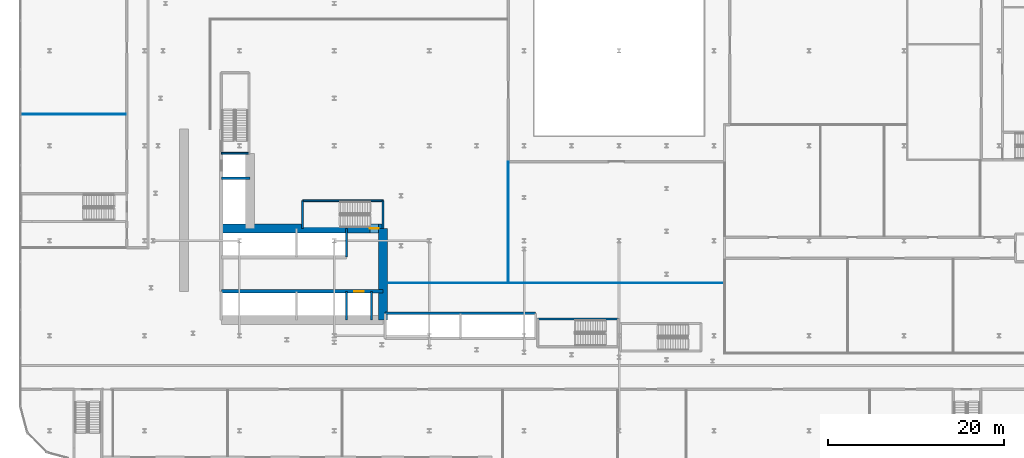
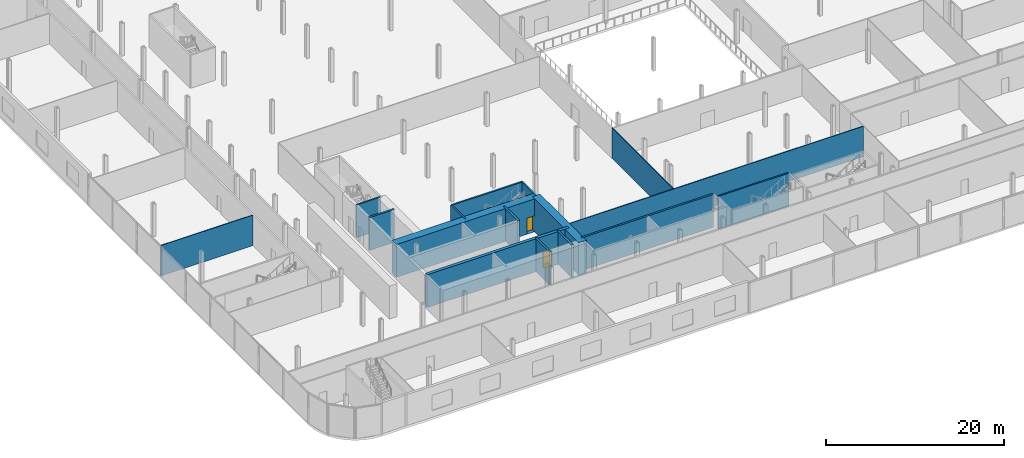
# One storey, part 29 of 47: 16 walls, 2 doors, 2 openings.
"""IFC4 building model written with IfcOpenShell, lengths in metres."""

import ifcopenshell
import ifcopenshell.guid

model = None  # the IFC model being written
_history = None  # IfcOwnerHistory: only IFC2X3 demands one
_inside = {}  # id of a spatial element -> (the spatial element, [elements in it])
_under = {}  # id of a project, library or spatial element -> (it, [spatial elements below it])
_declared = {}  # id of a project -> (the project, [libraries it declares])
_typed = {}  # id of a type object -> (the type object, [elements of that type])
_made_of = {}  # id of a material, layer set ... -> (it, [elements and type objects made of it])


def new_model(schema):
    """Start an empty IFC model of exactly this schema.

    Asked for "IFC4X3", IfcOpenShell would pick the latest addendum, in which some entities
    have other attributes; the version numbers below select the first issue.
    IFC2X3 requires an IfcOwnerHistory on every rooted entity: one is made here for all.
    """
    global model, _history
    if schema == "IFC4X3":
        model = ifcopenshell.file(schema_version=(4, 3, 0, 0))
    else:
        model = ifcopenshell.file(schema=schema)
    _inside.clear()
    _under.clear()
    _declared.clear()
    _typed.clear()
    _made_of.clear()
    _history = None
    if model.schema == "IFC2X3":
        org = make("IfcOrganization", Name="unknown")
        user = make(
            "IfcPersonAndOrganization",
            ThePerson=make("IfcPerson", FamilyName="unknown"),
            TheOrganization=org,
        )
        app = make(
            "IfcApplication",
            ApplicationDeveloper=org,
            Version="unknown",
            ApplicationFullName="unknown",
            ApplicationIdentifier="unknown",
        )
        _history = make(
            "IfcOwnerHistory",
            OwningUser=user,
            OwningApplication=app,
            ChangeAction="ADDED",
            CreationDate=0,
        )
    return model


def make(cls, **values):
    """One entity of the class cls with the attributes given. An attribute that is None is left unset."""
    return model.create_entity(
        cls, **{name: value for name, value in values.items() if value is not None}
    )


def rooted(cls, **values):
    """An entity with a GlobalId (a new one), such as an element, a storey or a relation."""
    return make(cls, GlobalId=ifcopenshell.guid.new(), OwnerHistory=_history, **values)


def si_unit(unit_type, name, prefix=None):
    """IfcSIUnit, for example si_unit("LENGTHUNIT", "METRE", prefix="MILLI")."""
    return make("IfcSIUnit", UnitType=unit_type, Prefix=prefix, Name=name)


def assignment(units):
    """IfcUnitAssignment: the units of a project."""
    return None if units is None else make("IfcUnitAssignment", Units=units)


def point(xyz):
    """IfcCartesianPoint."""
    return None if xyz is None else make("IfcCartesianPoint", Coordinates=xyz)


def direction(xyz):
    """IfcDirection."""
    return None if xyz is None else make("IfcDirection", DirectionRatios=xyz)


def frame(location, z_axis=None, x_axis=None):
    """IfcAxis2Placement3D, a coordinate frame: its origin and axes. An axis left out is left unset."""
    return make(
        "IfcAxis2Placement3D",
        Location=point(location),
        Axis=direction(z_axis),
        RefDirection=direction(x_axis),
    )


def frame_2d(location, x_axis=None):
    """IfcAxis2Placement2D, a coordinate frame in the plane: its origin and x axis."""
    return make(
        "IfcAxis2Placement2D", Location=point(location), RefDirection=direction(x_axis)
    )


def origin():
    """The frame at (0, 0, 0) with its axes left unset."""
    return frame((0.0, 0.0, 0.0))


def place(relative_to, where):
    """IfcLocalPlacement: puts the frame where relative to a parent placement (None: the world)."""
    return make(
        "IfcLocalPlacement", PlacementRelTo=relative_to, RelativePlacement=where
    )


def context(
    kind, dimensions, precision=None, world=None, true_north=None, identifier=None
):
    """IfcGeometricRepresentationContext, for example the 3D "Model" context."""
    return make(
        "IfcGeometricRepresentationContext",
        ContextIdentifier=identifier,
        ContextType=kind,
        CoordinateSpaceDimension=dimensions,
        Precision=precision,
        WorldCoordinateSystem=world,
        TrueNorth=true_north,
    )


def subcontext(parent, identifier, kind, view, scale=None):
    """IfcGeometricRepresentationSubContext, for example "Body" below "Model"."""
    return make(
        "IfcGeometricRepresentationSubContext",
        ContextIdentifier=identifier,
        ContextType=kind,
        ParentContext=parent,
        TargetScale=scale,
        TargetView=view,
    )


def project(units=None, contexts=None):
    """IfcProject with its units and contexts."""
    return rooted(
        "IfcProject",
        Name="project",
        RepresentationContexts=contexts,
        UnitsInContext=assignment(units),
    )


def spatial(cls, under=None, at=None, **own):
    """A site, building, storey or space (cls), placed at a placement, below another one or the project."""
    s = rooted(cls, ObjectPlacement=at, **own)
    if under is not None:
        _under.setdefault(under.id(), (under, []))[1].append(s)
    return s


def profile(cls, at=None, kind="AREA", **sizes):
    """A parametric profile (cls). Its sizes go by their IFC names, for example OverallWidth=200.0."""
    return make(cls, ProfileType=kind, Position=at, **sizes)


def rectangle(**sizes):
    """IfcRectangleProfileDef."""
    return profile("IfcRectangleProfileDef", **sizes)


def extrude(swept, where, along, depth):
    """IfcExtrudedAreaSolid: the profile swept, set in the frame where, extruded along a direction by depth."""
    return make(
        "IfcExtrudedAreaSolid",
        SweptArea=swept,
        Position=where,
        ExtrudedDirection=direction(along),
        Depth=depth,
    )


def shape(context_of_items, identifier, shape_type, items):
    """IfcShapeRepresentation: the items that make up one representation, for example the "Body"."""
    return make(
        "IfcShapeRepresentation",
        ContextOfItems=context_of_items,
        RepresentationIdentifier=identifier,
        RepresentationType=shape_type,
        Items=items,
    )


def source(mapping_origin, context_of_items, identifier, shape_type, items):
    """IfcRepresentationMap: a shape defined once, which mapped items show again and again."""
    return make(
        "IfcRepresentationMap",
        MappingOrigin=mapping_origin,
        MappedRepresentation=shape(context_of_items, identifier, shape_type, items),
    )


def transform(
    local_origin,
    x_axis=None,
    y_axis=None,
    z_axis=None,
    scale=None,
    scale2=None,
    scale3=None,
    uniform=True,
):
    """IfcCartesianTransformationOperator3D, or its non-uniform kind. x_axis, y_axis, z_axis: its Axis1, 2, 3."""
    if uniform:
        return make(
            "IfcCartesianTransformationOperator3D",
            Axis1=direction(x_axis),
            Axis2=direction(y_axis),
            LocalOrigin=point(local_origin),
            Scale=scale,
            Axis3=direction(z_axis),
        )
    return make(
        "IfcCartesianTransformationOperator3DnonUniform",
        Axis1=direction(x_axis),
        Axis2=direction(y_axis),
        LocalOrigin=point(local_origin),
        Scale=scale,
        Axis3=direction(z_axis),
        Scale2=scale2,
        Scale3=scale3,
    )


def mapped(mapping_source, mapping_target):
    """IfcMappedItem: shows the shape of a source again, moved by a transform."""
    return make(
        "IfcMappedItem", MappingSource=mapping_source, MappingTarget=mapping_target
    )


def material(Name=None, Category=None):
    """IfcMaterial."""
    return make("IfcMaterial", Name=Name, Category=Category)


def layer(
    of_material, thickness, ventilated=None, Name=None, Category=None, Priority=None
):
    """IfcMaterialLayer: one layer of a wall or slab, of a material (None: an air gap)."""
    return make(
        "IfcMaterialLayer",
        Material=of_material,
        LayerThickness=thickness,
        IsVentilated=ventilated,
        Name=Name,
        Category=Category,
        Priority=Priority,
    )


def layer_set(layers, Name=None):
    """IfcMaterialLayerSet."""
    return make("IfcMaterialLayerSet", MaterialLayers=layers, LayerSetName=Name)


def made_of(thing, what):
    """Note that an element or type object is made of a material, layer set ...; save() writes the relation."""
    if what is not None:
        _made_of.setdefault(what.id(), (what, []))[1].append(thing)
    return thing


def type_object(cls, material=None, **own):
    """A type object (cls), such as IfcWallType, which elements share."""
    return made_of(rooted(cls, **own), material)


def element(
    cls,
    number,
    at=None,
    inside=None,
    cuts=None,
    type_object=None,
    material=None,
    context=None,
    identifier="Body",
    shape_type=None,
    held_by="IfcProductDefinitionShape",
    body=None,
    shapes=None,
    **own,
):
    """One element of the class cls, such as IfcWall. Its Tag is "e" and its number.

    at: its placement. inside: the storey or other place that contains it. cuts: it is an
    opening in that element (IfcRelVoidsElement). A single representation is given by context,
    identifier, shape_type and body (its items); several are given by shapes. held_by: the class
    of the entity that holds the representations. save() writes the other relations.
    """
    e = rooted(cls, Tag="e%d" % number, ObjectPlacement=at, **own)
    if body is not None:
        shapes = [shape(context, identifier, shape_type, body)]
    if shapes is not None:
        e.Representation = make(held_by, Representations=shapes)
    if inside is not None:
        _inside.setdefault(inside.id(), (inside, []))[1].append(e)
    if cuts is not None:
        rooted(
            "IfcRelVoidsElement", RelatingBuildingElement=cuts, RelatedOpeningElement=e
        )
    if type_object is not None:
        _typed.setdefault(type_object.id(), (type_object, []))[1].append(e)
    return made_of(e, material)


def fill(opening, filler):
    """IfcRelFillsElement: the door or window that sits in an opening."""
    return rooted(
        "IfcRelFillsElement",
        RelatingOpeningElement=opening,
        RelatedBuildingElement=filler,
    )


def aggregate(whole, parts):
    """IfcRelAggregates: a whole, such as a stair, and the parts it consists of."""
    return rooted("IfcRelAggregates", RelatingObject=whole, RelatedObjects=parts)


def save(model, path):
    """Write the relations noted so far, then the file.

    IfcRelAggregates (storeys below a building ...), IfcRelContainedInSpatialStructure (elements
    in a storey), IfcRelDefinesByType, IfcRelAssociatesMaterial and IfcRelDeclares: one each for
    every whole, place, type object, material and project.
    """
    for whole, parts in _under.values():
        aggregate(whole, parts)
    for where, things in _inside.values():
        rooted(
            "IfcRelContainedInSpatialStructure",
            RelatedElements=things,
            RelatingStructure=where,
        )
    for kind, things in _typed.values():
        rooted("IfcRelDefinesByType", RelatedObjects=things, RelatingType=kind)
    for what, things in _made_of.values():
        rooted("IfcRelAssociatesMaterial", RelatedObjects=things, RelatingMaterial=what)
    for by, libraries in _declared.values():
        rooted("IfcRelDeclares", RelatingContext=by, RelatedDefinitions=libraries)
    model.write(path)


model = new_model("IFC4")

# Units and contexts
model_context = context("Model", 3, precision=1e-05, world=origin(), true_north=direction((0.0, 1.0)))
body_context = subcontext(model_context, "Body", "Model", "MODEL_VIEW")
ifc_project = project(units=[si_unit("LENGTHUNIT", "METRE"), si_unit("AREAUNIT", "SQUARE_METRE"), si_unit("VOLUMEUNIT", "CUBIC_METRE"), si_unit("PLANEANGLEUNIT", "RADIAN"), si_unit("MASSUNIT", "GRAM", prefix="KILO")], contexts=[model_context])

# Site, building, storey
site_placement = place(None, origin())
site = spatial("IfcSite", under=ifc_project, at=site_placement, CompositionType="ELEMENT")
building_placement = place(site_placement, origin())
building = spatial("IfcBuilding", under=site, at=building_placement, Name="Kheshtan School and Residences Tower", CompositionType="ELEMENT")
storey_placement = place(building_placement, frame((0.0, 0.0, 21.5)))
storey = spatial("IfcBuildingStorey", under=building, at=storey_placement, Name="L04", CompositionType="ELEMENT", Elevation=21.5)

# Wall, opening, door
ifc_material_1 = material(Name="Concrete C80/95", Category="concrete")
ifc_layer_1 = layer(ifc_material_1, 1.0)
ifc_layer_set_1 = layer_set([ifc_layer_1], Name="Core wall 1000 Concrete C80/95")
wall_type_1 = type_object("IfcWallType", Name="Core wall 1000 Concrete C80/95", PredefinedType="SHEAR", material=ifc_layer_set_1)
wall_1_placement = place(storey_placement, frame((34.75, 36.199951171875, 0.0), z_axis=(0.0, 0.0, 1.0), x_axis=(1.0, 0.0, 0.0)))
wall_1 = element("IfcWall", 1, at=wall_1_placement, inside=storey, type_object=wall_type_1, Name="Core wall CW-FRONT-S", PredefinedType="SHEAR", context=body_context, shape_type="SweptSolid", body=[
    extrude(rectangle(XDim=18.39990234375, YDim=1.0, at=frame_2d((9.199951171875, 0.0))), origin(), (0.0, 0.0, 1.0), 4.5),
])
opening_1_placement = place(wall_1_placement, frame((16.89990234375, 0.0, 0.0)))
opening_1 = element("IfcOpeningElement", 2, at=opening_1_placement, cuts=wall_1, Name="Opening ST1D", PredefinedType="OPENING", context=body_context, shape_type="SweptSolid", body=[
    extrude(rectangle(XDim=1.0, YDim=2.199951171875, at=frame_2d((0.5, 1.10009765625))), frame((0.0, 0.510009765625, 0.0), z_axis=(0.0, -1.0, 0.0), x_axis=(1.0, 0.0, 0.0)), (0.0, 0.0, 1.0), 1.02001953125),
])
ifc_material_2 = material(Name="Steel door leaf, galvanised", Category="steel")
door_type_1 = type_object("IfcDoorType", Name="Stair door 1100 steel 90 min", OperationType="SINGLE_SWING_LEFT", PredefinedType="DOOR", material=ifc_material_2)
shared_shape_1 = source(origin(), body_context, "Body", "SweptSolid", [
    extrude(rectangle(XDim=1.0, YDim=2.199951171875, at=frame_2d((0.5, 1.10009765625))), frame((0.0, 0.02490234375, 0.0), z_axis=(0.0, -1.0, 0.0), x_axis=(1.0, 0.0, 0.0)), (0.0, 0.0, 1.0), 0.050048828125),
])
door_1_placement = place(opening_1_placement, origin())
door_1 = element("IfcDoor", 3, at=door_1_placement, inside=storey, type_object=door_type_1, Name="Stair ST1 door", OperationType="SINGLE_SWING_RIGHT", OverallHeight=2.199951171875, OverallWidth=1.0, PredefinedType="DOOR", context=body_context, shape_type="MappedRepresentation", body=[
    mapped(shared_shape_1, transform((0.0, 0.0, 0.0), x_axis=(1.0, 0.0, 0.0), y_axis=(0.0, 1.0, 0.0), z_axis=(0.0, 0.0, 1.0), scale=1.0)),
])
fill(opening_1, door_1)

# Wall
wall_2_placement = place(storey_placement, frame((53.14990234375, 25.800048828125, 0.0), z_axis=(0.0, 0.0, 1.0), x_axis=(0.0, 1.0, 0.0)))
element("IfcWall", 4, at=wall_2_placement, inside=storey, type_object=wall_type_1, Name="Core wall CW-EAST", PredefinedType="SHEAR", context=body_context, shape_type="SweptSolid", body=[
    extrude(rectangle(XDim=10.39990234375, YDim=1.0, at=frame_2d((5.199951171875, 0.0))), origin(), (0.0, 0.0, 1.0), 4.5),
])

# Wall, opening, door
ifc_material_3 = material(Name="Concrete C50/60", Category="concrete")
ifc_layer_2 = layer(ifc_material_3, 0.39990234375)
ifc_layer_set_2 = layer_set([ifc_layer_2], Name="Core wall 400 Concrete C50/60")
wall_type_2 = type_object("IfcWallType", Name="Core wall 400 Concrete C50/60", PredefinedType="SHEAR", material=ifc_layer_set_2)
wall_3_placement = place(storey_placement, frame((34.75, 29.050048828125, 0.0), z_axis=(0.0, 0.0, 1.0), x_axis=(1.0, 0.0, 0.0)))
wall_3 = element("IfcWall", 5, at=wall_3_placement, inside=storey, type_object=wall_type_2, Name="Core wall CW-HALL-S1", PredefinedType="SHEAR", context=body_context, shape_type="SweptSolid", body=[
    extrude(rectangle(XDim=18.39990234375, YDim=0.39990234375, at=frame_2d((9.199951171875, 0.0))), origin(), (0.0, 0.0, 1.0), 4.5),
])
opening_2_placement = place(wall_3_placement, frame((15.125, 0.0, 0.0)))
opening_2 = element("IfcOpeningElement", 6, at=opening_2_placement, cuts=wall_3, Name="Opening LD", PredefinedType="OPENING", context=body_context, shape_type="SweptSolid", body=[
    extrude(rectangle(XDim=1.10009765625, YDim=2.199951171875, at=frame_2d((0.550048828125, 1.10009765625))), frame((0.0, 0.2099609375, 0.0), z_axis=(0.0, -1.0, 0.0), x_axis=(1.0, 0.0, 0.0)), (0.0, 0.0, 1.0), 0.419921875),
])
ifc_material_4 = material(Name="Stainless steel door leaves", Category="steel")
door_type_2 = type_object("IfcDoorType", Name="Lift landing door 1100", OperationType="SLIDING_TO_LEFT", PredefinedType="DOOR", material=ifc_material_4)
shared_shape_2 = source(origin(), body_context, "Body", "SweptSolid", [
    extrude(rectangle(XDim=1.10009765625, YDim=2.199951171875, at=frame_2d((0.550048828125, 1.10009765625))), frame((0.0, 0.02490234375, 0.0), z_axis=(0.0, -1.0, 0.0), x_axis=(1.0, 0.0, 0.0)), (0.0, 0.0, 1.0), 0.050048828125),
])
door_2_placement = place(opening_2_placement, origin())
door_2 = element("IfcDoor", 7, at=door_2_placement, inside=storey, type_object=door_type_2, Name="Lift FFL2 landing door", OperationType="SLIDING_TO_LEFT", OverallHeight=2.199951171875, OverallWidth=1.10009765625, PredefinedType="DOOR", context=body_context, shape_type="MappedRepresentation", body=[
    mapped(shared_shape_2, transform((0.0, 0.0, 0.0), x_axis=(1.0, 0.0, 0.0), y_axis=(0.0, 1.0, 0.0), z_axis=(0.0, 0.0, 1.0), scale=1.0)),
])
fill(opening_2, door_2)

# Walls
ifc_material_5 = material(Name="Gypsum board on steel studs", Category="steel")
ifc_layer_3 = layer(ifc_material_5, 0.10009765625)
ifc_layer_set_3 = layer_set([ifc_layer_3], Name="Gypsum partition 100")
wall_type_3 = type_object("IfcWallType", Name="Gypsum partition 100", PredefinedType="PARTITIONING", material=ifc_layer_set_3)
wall_4_placement = place(storey_placement, frame((12.0, 49.199951171875, 0.0), z_axis=(0.0, 0.0, 1.0), x_axis=(1.0, 0.0, 0.0)))
element("IfcWall", 8, at=wall_4_placement, inside=storey, type_object=wall_type_3, Name="Partition L04-004", PredefinedType="PARTITIONING", context=body_context, shape_type="SweptSolid", body=[
    extrude(rectangle(XDim=11.89990234375, YDim=0.10009765625, at=frame_2d((5.949951171875, 0.0))), origin(), (0.0, 0.0, 1.0), 4.179931640625),
])
wall_5_placement = place(storey_placement, frame((53.64892578125, 30.0, 0.0), z_axis=(0.0, 0.0, 1.0), x_axis=(1.0, 0.0, 0.0)))
element("IfcWall", 9, at=wall_5_placement, inside=storey, type_object=wall_type_3, Name="Partition L04-019", PredefinedType="PARTITIONING", context=body_context, shape_type="SweptSolid", body=[
    extrude(rectangle(XDim=38.301025390625, YDim=0.10009765625, at=frame_2d((19.150390625, 0.0))), origin(), (0.0, 0.0, 1.0), 4.179931640625),
])
wall_6_placement = place(storey_placement, frame((67.39990234375, 30.050048828125, 0.0), z_axis=(0.0, 0.0, 1.0), x_axis=(0.0, 1.0, 0.0)))
element("IfcWall", 10, at=wall_6_placement, inside=storey, type_object=wall_type_3, Name="Partition L04-029", PredefinedType="PARTITIONING", context=body_context, shape_type="SweptSolid", body=[
    extrude(rectangle(XDim=13.75, YDim=0.10009765625, at=frame_2d((6.875, 0.0))), origin(), (0.0, 0.0, 1.0), 4.179931640625),
])
ifc_material_6 = material(Name="Fire-board shaft wall system")
ifc_layer_4 = layer(ifc_material_6, 0.25)
ifc_layer_set_4 = layer_set([ifc_layer_4], Name="Shaft lining wall 250")
wall_type_4 = type_object("IfcWallType", Name="Shaft lining wall 250", PredefinedType="PARTITIONING", material=ifc_layer_set_4)
for number, where, z_axis, x_axis, name in (
    (11, (49.0, 25.800048828125, 0.0), (0.0, 0.0, 1.0), (0.0, 1.0, 0.0), "Shaft lining wall"),
    (12, (49.0, 32.949951171875, 0.0), (0.0, 0.0, 1.0), (0.0, 1.0, 0.0), "Shaft lining wall"),
    (13, (51.85009765625, 25.800048828125, 0.0), (0.0, 0.0, 1.0), (0.0, 1.0, 0.0), "Shaft lining wall"),
):
    element("IfcWall", number, at=place(storey_placement, frame(where, z_axis=z_axis, x_axis=x_axis)), inside=storey, type_object=wall_type_4, Name=name, PredefinedType="PARTITIONING", context=body_context, shape_type="SweptSolid", body=[
        extrude(rectangle(XDim=3.25, YDim=0.25, at=frame_2d((1.625, 0.0))), origin(), (0.0, 0.0, 1.0), 4.5),
    ])
wall_7_placement = place(storey_placement, frame((53.39990234375, 26.550048828125, 0.0), z_axis=(0.0, 0.0, 1.0), x_axis=(1.0, 0.0, 0.0)))
element("IfcWall", 14, at=wall_7_placement, inside=storey, type_object=wall_type_4, Name="Shaft lining wall", PredefinedType="PARTITIONING", context=body_context, shape_type="SweptSolid", body=[
    extrude(rectangle(XDim=17.10009765625, YDim=0.25, at=frame_2d((8.550048828125, 0.0))), origin(), (0.0, 0.0, 1.0), 4.5),
])
wall_8_placement = place(storey_placement, frame((34.75, 41.89990234375, 0.0), z_axis=(0.0, 0.0, 1.0), x_axis=(1.0, 0.0, 0.0)))
element("IfcWall", 15, at=wall_8_placement, inside=storey, type_object=wall_type_4, Name="Shaft lining wall", PredefinedType="PARTITIONING", context=body_context, shape_type="SweptSolid", body=[
    extrude(rectangle(XDim=3.25, YDim=0.25, at=frame_2d((1.625, 0.0))), origin(), (0.0, 0.0, 1.0), 4.5),
])
ifc_material_7 = material(Name="Concrete C40/50", Category="concrete")
ifc_layer_5 = layer(ifc_material_7, 0.199951171875)
ifc_layer_set_5 = layer_set([ifc_layer_5], Name="Stair enclosure wall 200 Concrete C40/50")
wall_type_5 = type_object("IfcWallType", Name="Stair enclosure wall 200 Concrete C40/50", PredefinedType="SHEAR", material=ifc_layer_set_5)
wall_9_placement = place(storey_placement, frame((43.989990234375, 39.35009765625, 0.0), z_axis=(0.0, 0.0, 1.0), x_axis=(1.0, 0.0, 0.0)))
element("IfcWall", 16, at=wall_9_placement, inside=storey, type_object=wall_type_5, Name="Stair enclosure wall ST1", PredefinedType="SHEAR", context=body_context, shape_type="SweptSolid", body=[
    extrude(rectangle(XDim=9.159912109375, YDim=0.199951171875, at=frame_2d((4.580078125, 0.0))), origin(), (0.0, 0.0, 1.0), 4.5),
])
for number, where, z_axis, x_axis, name in (
    (17, (43.989990234375, 36.199951171875, 0.0), (0.0, 0.0, 1.0), (0.0, 1.0, 0.0), "Stair enclosure wall ST1"),
    (18, (53.14990234375, 36.199951171875, 0.0), (0.0, 0.0, 1.0), (0.0, 1.0, 0.0), "Stair enclosure wall ST1"),
):
    element("IfcWall", number, at=place(storey_placement, frame(where, z_axis=z_axis, x_axis=x_axis)), inside=storey, type_object=wall_type_5, Name=name, PredefinedType="SHEAR", context=body_context, shape_type="SweptSolid", body=[
        extrude(rectangle(XDim=3.150146484375, YDim=0.199951171875, at=frame_2d((1.5751953125, 0.0))), origin(), (0.0, 0.0, 1.0), 4.5),
    ])
wall_10_placement = place(storey_placement, frame((34.75, 44.75, 0.0), z_axis=(0.0, 0.0, 1.0), x_axis=(1.0, 0.0, 0.0)))
element("IfcWall", 19, at=wall_10_placement, inside=storey, type_object=wall_type_5, Name="Stair enclosure wall ST2", PredefinedType="SHEAR", context=body_context, shape_type="SweptSolid", body=[
    extrude(rectangle(XDim=3.14990234375, YDim=0.199951171875, at=frame_2d((1.574951171875, 0.0))), origin(), (0.0, 0.0, 1.0), 4.5),
])
wall_11_placement = place(storey_placement, frame((70.75, 25.89990234375, 0.0), z_axis=(0.0, 0.0, 1.0), x_axis=(1.0, 0.0, 0.0)))
element("IfcWall", 20, at=wall_11_placement, inside=storey, type_object=wall_type_5, Name="Stair enclosure wall ST5", PredefinedType="SHEAR", context=body_context, shape_type="SweptSolid", body=[
    extrude(rectangle(XDim=9.159912109375, YDim=0.199951171875, at=frame_2d((4.580078125, 0.0))), origin(), (0.0, 0.0, 1.0), 4.5),
])

save(model, "model.ifc")
